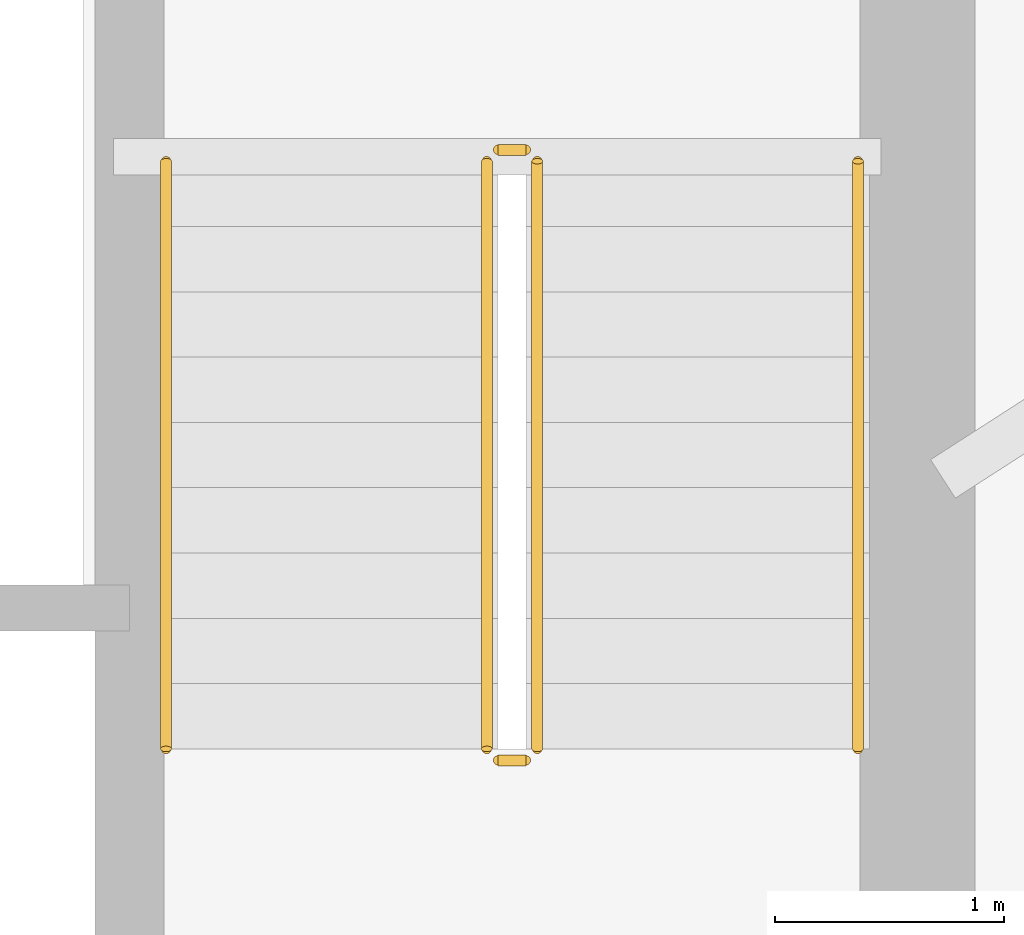
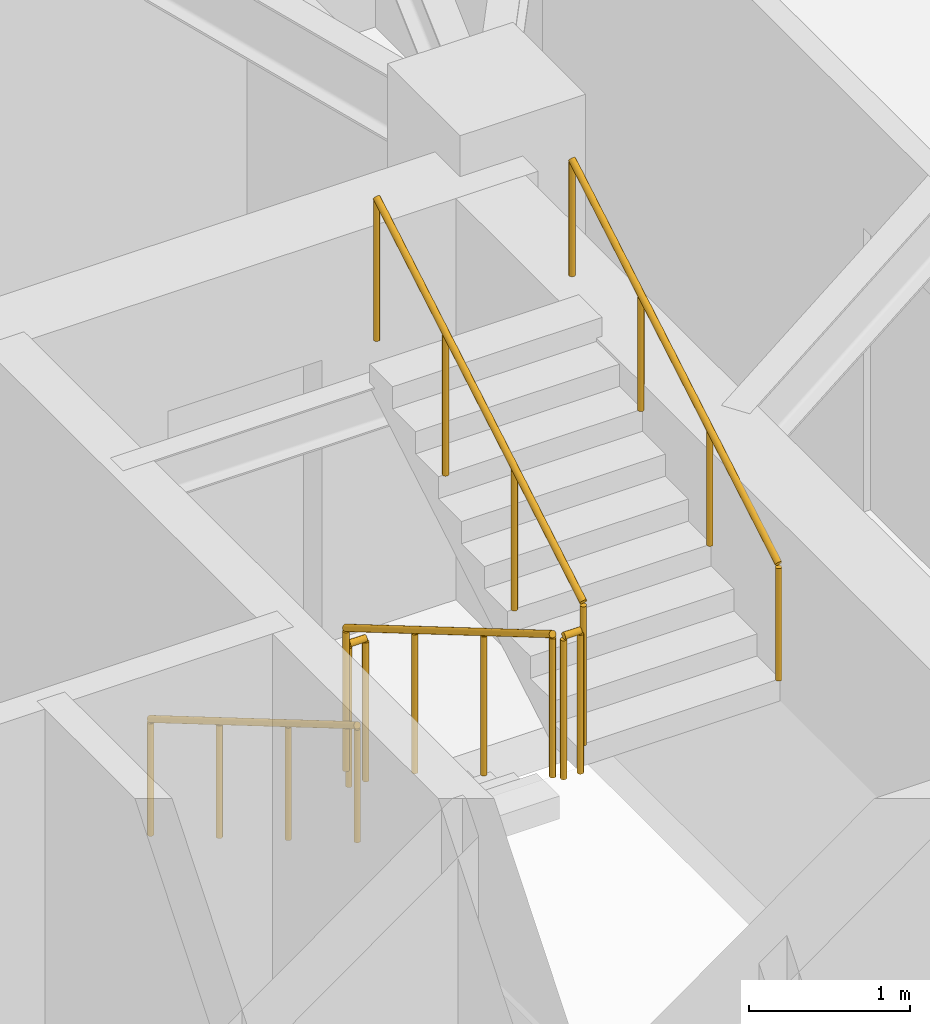
# One storey, part 17 of 17: 6 railings.
"""IFC4 building model written with IfcOpenShell, lengths in metres."""

from ifc_helpers import new_model, si_unit, direction, frame, origin, origin_2d, place, context, subcontext, project, spatial, circle, extrude, material, type_object, element, save


model = new_model("IFC4")

# Units and contexts
model_context = context("Model", 3, precision=1e-05, world=origin(), true_north=direction((0.0, 1.0)))
body_context = subcontext(model_context, "Body", "Model", "MODEL_VIEW")
ifc_project = project(units=[si_unit("LENGTHUNIT", "METRE"), si_unit("AREAUNIT", "SQUARE_METRE"), si_unit("VOLUMEUNIT", "CUBIC_METRE"), si_unit("PLANEANGLEUNIT", "RADIAN"), si_unit("MASSUNIT", "GRAM", prefix="KILO")], contexts=[model_context])

# Site, building, storey
site_placement = place(None, origin())
site = spatial("IfcSite", under=ifc_project, at=site_placement, CompositionType="ELEMENT")
building_placement = place(site_placement, origin())
building = spatial("IfcBuilding", under=site, at=building_placement, Name="Qobustan Lattice House", CompositionType="ELEMENT")
storey_placement = place(building_placement, frame((0.0, 0.0, 167.85009765625)))
storey = spatial("IfcBuildingStorey", under=building, at=storey_placement, Name="L47", CompositionType="ELEMENT", Elevation=167.85009765625)

# Railings
ifc_material_1 = material(Name="Brushed stainless steel handrail", Category="steel")
railing_type_1 = type_object("IfcRailingType", Name="RAL-HR-920", PredefinedType="HANDRAIL", material=ifc_material_1)
railing_1_placement = place(storey_placement, frame((15.179931640625, 3.5, 0.16748046875)))
element("IfcRailing", 1, at=railing_1_placement, inside=storey, type_object=railing_type_1, Name="L47 ST-E1 stair handrail 1", PredefinedType="HANDRAIL", context=body_context, shape_type="SweptSolid", body=[
    extrude(circle(Radius=0.02392578125, at=origin_2d()), frame((0.0, 0.0, 0.8759765625), z_axis=(0.0, -0.862149314443, 0.506654280161), x_axis=(1.0, 0.0, 0.0)), (0.0, 0.0, 1.0), 2.97509765625),
    extrude(circle(Radius=0.02099609375, at=origin_2d()), origin(), (0.0, 0.0, 1.0), 0.851806640625),
    extrude(circle(Radius=0.02099609375, at=origin_2d()), frame((0.0, -0.85498046875, 0.50244140625)), (0.0, 0.0, 1.0), 0.851806640625),
    extrude(circle(Radius=0.02099609375, at=origin_2d()), frame((0.0, -1.7099609375, 1.0048828125)), (0.0, 0.0, 1.0), 0.851806640625),
    extrude(circle(Radius=0.02099609375, at=origin_2d()), frame((0.0, -2.56494140625, 1.50732421875)), (0.0, 0.0, 1.0), 0.851806640625),
])
railing_2_placement = place(storey_placement, frame((18.199951171875, 0.93505859375, 1.84228515625)))
element("IfcRailing", 2, at=railing_2_placement, inside=storey, type_object=railing_type_1, Name="L47 ST-E1 stair handrail 2", PredefinedType="HANDRAIL", context=body_context, shape_type="SweptSolid", body=[
    extrude(circle(Radius=0.02392578125, at=origin_2d()), frame((0.0, 0.0, 0.8759765625), z_axis=(0.0, 0.862113467892, 0.50671527358), x_axis=(-1.0, 0.0, 0.0)), (0.0, 0.0, 1.0), 2.97509765625),
    extrude(circle(Radius=0.02099609375, at=origin_2d()), origin(), (0.0, 0.0, 1.0), 0.851806640625),
    extrude(circle(Radius=0.02099609375, at=origin_2d()), frame((0.0, 0.85498046875, 0.50244140625)), (0.0, 0.0, 1.0), 0.851806640625),
    extrude(circle(Radius=0.02099609375, at=origin_2d()), frame((0.0, 1.7099609375, 1.005126953125)), (0.0, 0.0, 1.0), 0.851806640625),
    extrude(circle(Radius=0.02099609375, at=origin_2d()), frame((0.0, 2.56494140625, 1.507568359375)), (0.0, 0.0, 1.0), 0.851806640625),
])
ifc_material_2 = material(Name="Painted galvanized steel guardrail", Category="steel")
railing_type_2 = type_object("IfcRailingType", Name="RAL-STG-1150", PredefinedType="GUARDRAIL", material=ifc_material_2)
railing_3_placement = place(storey_placement, frame((16.580078125, 3.5, 0.16748046875)))
element("IfcRailing", 3, at=railing_3_placement, inside=storey, type_object=railing_type_2, Name="L47 ST-E1 stair guard 1", PredefinedType="GUARDRAIL", context=body_context, shape_type="SweptSolid", body=[
    extrude(circle(Radius=0.02392578125, at=origin_2d()), frame((0.0, 0.0, 1.076171875), z_axis=(0.0, -0.862149314443, 0.506654280161), x_axis=(1.0, 0.0, 0.0)), (0.0, 0.0, 1.0), 2.97509765625),
    extrude(circle(Radius=0.02099609375, at=origin_2d()), origin(), (0.0, 0.0, 1.0), 1.052001953125),
    extrude(circle(Radius=0.02099609375, at=origin_2d()), frame((0.0, -0.85498046875, 0.50244140625)), (0.0, 0.0, 1.0), 1.052001953125),
    extrude(circle(Radius=0.02099609375, at=origin_2d()), frame((0.0, -1.7099609375, 1.0048828125)), (0.0, 0.0, 1.0), 1.052001953125),
    extrude(circle(Radius=0.02099609375, at=origin_2d()), frame((0.0, -2.56494140625, 1.50732421875)), (0.0, 0.0, 1.0), 1.052001953125),
])
railing_4_placement = place(storey_placement, frame((16.6298828125, 0.885009765625, 1.6748046875)))
element("IfcRailing", 4, at=railing_4_placement, inside=storey, type_object=railing_type_2, Name="L47 ST-E1 stair guard 2", PredefinedType="GUARDRAIL", context=body_context, shape_type="SweptSolid", body=[
    extrude(circle(Radius=0.02392578125, at=origin_2d()), frame((0.0, 0.0, 1.076171875), z_axis=(1.0, 0.0, 0.0), x_axis=(0.0, 1.0, 0.0)), (0.0, 0.0, 1.0), 0.1201171875),
    extrude(circle(Radius=0.02099609375, at=origin_2d()), origin(), (0.0, 0.0, 1.0), 1.052001953125),
    extrude(circle(Radius=0.02099609375, at=origin_2d()), frame((0.1201171875, 0.0, 0.0)), (0.0, 0.0, 1.0), 1.052001953125),
])
railing_5_placement = place(storey_placement, frame((16.800048828125, 0.93505859375, 1.84228515625)))
element("IfcRailing", 5, at=railing_5_placement, inside=storey, type_object=railing_type_2, Name="L47 ST-E1 stair guard 3", PredefinedType="GUARDRAIL", context=body_context, shape_type="SweptSolid", body=[
    extrude(circle(Radius=0.02392578125, at=origin_2d()), frame((0.0, 0.0, 1.076171875), z_axis=(0.0, 0.862113467892, 0.50671527358), x_axis=(-1.0, 0.0, 0.0)), (0.0, 0.0, 1.0), 2.97509765625),
    extrude(circle(Radius=0.02099609375, at=origin_2d()), origin(), (0.0, 0.0, 1.0), 1.052001953125),
    extrude(circle(Radius=0.02099609375, at=origin_2d()), frame((0.0, 0.85498046875, 0.50244140625)), (0.0, 0.0, 1.0), 1.052001953125),
    extrude(circle(Radius=0.02099609375, at=origin_2d()), frame((0.0, 1.7099609375, 1.005126953125)), (0.0, 0.0, 1.0), 1.052001953125),
    extrude(circle(Radius=0.02099609375, at=origin_2d()), frame((0.0, 2.56494140625, 1.507568359375)), (0.0, 0.0, 1.0), 1.052001953125),
])
railing_6_placement = place(storey_placement, frame((16.6298828125, 3.550048828125, 0.0)))
element("IfcRailing", 6, at=railing_6_placement, inside=storey, type_object=railing_type_2, Name="L47 ST-E1 stair guard 4", PredefinedType="GUARDRAIL", context=body_context, shape_type="SweptSolid", body=[
    extrude(circle(Radius=0.02392578125, at=origin_2d()), frame((0.0, 0.0, 1.076171875), z_axis=(1.0, 0.0, 0.0), x_axis=(0.0, 1.0, 0.0)), (0.0, 0.0, 1.0), 0.1201171875),
    extrude(circle(Radius=0.02099609375, at=origin_2d()), origin(), (0.0, 0.0, 1.0), 1.052001953125),
    extrude(circle(Radius=0.02099609375, at=origin_2d()), frame((0.1201171875, 0.0, 0.0)), (0.0, 0.0, 1.0), 1.052001953125),
])

save(model, "model.ifc")
